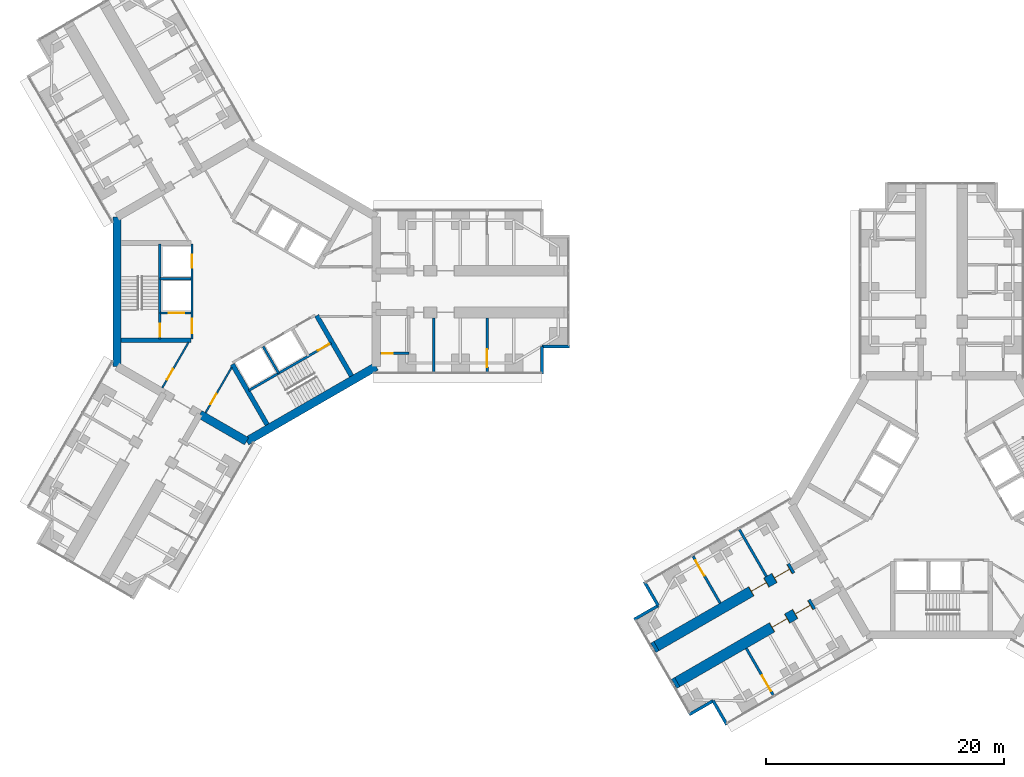
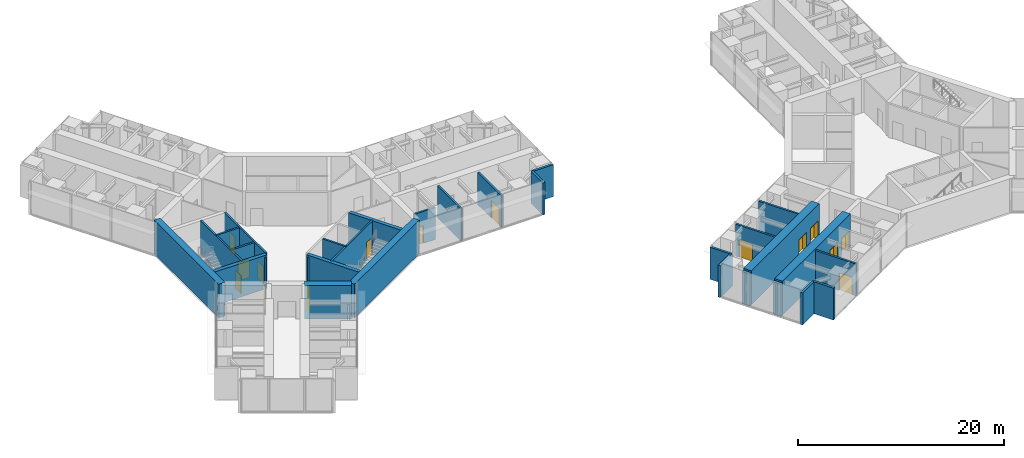
# One storey, part 16 of 22: 30 walls, 15 doors, 15 openings.
"""IFC4 building model written with IfcOpenShell, lengths in metres."""

from ifc_helpers import new_model, si_unit, direction, frame, frame_2d, origin, place, context, subcontext, project, spatial, rectangle, extrude, material, layer, layer_set, type_object, element, fill, save


model = new_model("IFC4")

# Units and contexts
model_context = context("Model", 3, precision=1e-05, world=origin(), true_north=direction((0.0, 1.0)))
body_context = subcontext(model_context, "Body", "Model", "MODEL_VIEW")
ifc_project = project(units=[si_unit("LENGTHUNIT", "METRE"), si_unit("AREAUNIT", "SQUARE_METRE"), si_unit("VOLUMEUNIT", "CUBIC_METRE"), si_unit("PLANEANGLEUNIT", "RADIAN"), si_unit("MASSUNIT", "GRAM", prefix="KILO")], contexts=[model_context])

# Site, building, storey
site_placement = place(None, origin())
site = spatial("IfcSite", under=ifc_project, at=site_placement, CompositionType="ELEMENT")
building_placement = place(site_placement, origin())
building = spatial("IfcBuilding", under=site, at=building_placement, Name="Upepo Twin Towers", CompositionType="ELEMENT")
storey_placement = place(building_placement, frame((0.0, 0.0, 36.5)))
storey = spatial("IfcBuildingStorey", under=building, at=storey_placement, Name="L08", CompositionType="ELEMENT", Elevation=36.5)

# Wall
ifc_material_1 = material(Name="Concrete blockwork, plastered both faces", Category="masonry")
ifc_layer_1 = layer(ifc_material_1, 0.215087890625)
ifc_layer_set_1 = layer_set([ifc_layer_1], Name="Blockwork partition 215")
wall_type_1 = type_object("IfcWallType", Name="Blockwork partition 215", PredefinedType="PARTITIONING", material=ifc_layer_set_1)
wall_1_placement = place(storey_placement, frame((15.75, -2.199951171875, 0.0), z_axis=(0.0, 0.0, 1.0), x_axis=(0.0, -1.0, 0.0)))
element("IfcWall", 1, at=wall_1_placement, inside=storey, type_object=wall_type_1, Name="T1 partition AR at 15.75", PredefinedType="PARTITIONING", context=body_context, shape_type="SweptSolid", body=[
    extrude(rectangle(XDim=4.550048828125, YDim=0.215087890625, at=frame_2d((2.27490234375, 0.0))), origin(), (0.0, 0.0, 1.0), 3.800048828125),
])

# Wall, opening, door
wall_2_placement = place(storey_placement, frame((20.25, -2.199951171875, 0.0), z_axis=(0.0, 0.0, 1.0), x_axis=(0.0, -1.0, 0.0)))
wall_2 = element("IfcWall", 2, at=wall_2_placement, inside=storey, type_object=wall_type_1, Name="T1 partition AR at 20.25", PredefinedType="PARTITIONING", context=body_context, shape_type="SweptSolid", body=[
    extrude(rectangle(XDim=4.550048828125, YDim=0.215087890625, at=frame_2d((2.27490234375, 0.0))), origin(), (0.0, 0.0, 1.0), 3.800048828125),
])
opening_1_placement = place(wall_2_placement, frame((2.64990234375, 0.0, 0.0)))
opening_1 = element("IfcOpeningElement", 3, at=opening_1_placement, cuts=wall_2, Name="Opening D13", PredefinedType="OPENING", context=body_context, shape_type="SweptSolid", body=[
    extrude(rectangle(XDim=1.5, YDim=2.10009765625, at=frame_2d((0.75, 1.050048828125))), frame((0.0, 0.117431640625, 0.0), z_axis=(0.0, -1.0, 0.0), x_axis=(1.0, 0.0, 0.0)), (0.0, 0.0, 1.0), 0.235107421875),
])
ifc_material_2 = material(Name="Timber doorset", Category="wood")
door_type_1 = type_object("IfcDoorType", Name="Double door 1500 FD30", OperationType="DOUBLE_DOOR_SINGLE_SWING", PredefinedType="DOOR", material=ifc_material_2)
door_1_placement = place(opening_1_placement, origin())
door_1 = element("IfcDoor", 4, at=door_1_placement, inside=storey, type_object=door_type_1, Name="T1 L08 connecting door", OperationType="DOUBLE_DOOR_SINGLE_SWING", OverallHeight=2.10009765625, OverallWidth=1.5, PredefinedType="DOOR", context=body_context, shape_type="SweptSolid", body=[
    extrude(rectangle(XDim=1.5, YDim=2.10009765625, at=frame_2d((0.75, 1.050048828125))), frame((0.0, 0.02490234375, 0.0), z_axis=(0.0, -1.0, 0.0), x_axis=(1.0, 0.0, 0.0)), (0.0, 0.0, 1.0), 0.050048828125),
])
fill(opening_1, door_1)

wall_3_placement = place(storey_placement, frame((11.258056640625, -5.199951171875, 0.0), z_axis=(0.0, 0.0, 1.0), x_axis=(1.0, 0.0, 0.0)))
wall_3 = element("IfcWall", 5, at=wall_3_placement, inside=storey, type_object=wall_type_1, Name="T1 WC bay partition AR at 11.26", PredefinedType="PARTITIONING", context=body_context, shape_type="SweptSolid", body=[
    extrude(rectangle(XDim=2.39990234375, YDim=0.215087890625, at=frame_2d((1.199951171875, 0.0))), origin(), (0.0, 0.0, 1.0), 3.800048828125),
])
opening_2_placement = place(wall_3_placement, frame((0.14990234375, 0.0, 0.0)))
opening_2 = element("IfcOpeningElement", 6, at=opening_2_placement, cuts=wall_3, Name="Opening D14", PredefinedType="OPENING", context=body_context, shape_type="SweptSolid", body=[
    extrude(rectangle(XDim=0.89990234375, YDim=2.10009765625, at=frame_2d((0.449951171875, 1.050048828125))), frame((0.0, 0.117431640625, 0.0), z_axis=(0.0, -1.0, 0.0), x_axis=(1.0, 0.0, 0.0)), (0.0, 0.0, 1.0), 0.235107421875),
])
ifc_material_3 = material(Name="Timber doorset", Category="wood")
door_type_2 = type_object("IfcDoorType", Name="Office door 900 FD30", OperationType="SINGLE_SWING_LEFT", PredefinedType="DOOR", material=ifc_material_3)
door_2_placement = place(opening_2_placement, origin())
door_2 = element("IfcDoor", 7, at=door_2_placement, inside=storey, type_object=door_type_2, Name="T1 L08 WC bay inner room door", OperationType="SINGLE_SWING_LEFT", OverallHeight=2.10009765625, OverallWidth=0.89990234375, PredefinedType="DOOR", context=body_context, shape_type="SweptSolid", body=[
    extrude(rectangle(XDim=0.89990234375, YDim=2.10009765625, at=frame_2d((0.449951171875, 1.050048828125))), frame((0.0, 0.02490234375, 0.0), z_axis=(0.0, -1.0, 0.0), x_axis=(1.0, 0.0, 0.0)), (0.0, 0.0, 1.0), 0.050048828125),
])
fill(opening_2, door_2)

wall_4_placement = place(storey_placement, frame((42.06298828125, -30.0302734375, 0.0), z_axis=(0.0, 0.0, 1.0), x_axis=(0.499982560684, -0.866035472144, 0.0)))
wall_4 = element("IfcWall", 8, at=wall_4_placement, inside=storey, type_object=wall_type_1, Name="T2 partition BL at 20.25", PredefinedType="PARTITIONING", context=body_context, shape_type="SweptSolid", body=[
    extrude(rectangle(XDim=4.550048828125, YDim=0.215087890625, at=frame_2d((2.27490234375, 0.0))), origin(), (0.0, 0.0, 1.0), 3.800048828125),
])
opening_3_placement = place(wall_4_placement, frame((2.64990234375, 0.0, 0.0)))
opening_3 = element("IfcOpeningElement", 9, at=opening_3_placement, cuts=wall_4, Name="Opening D13", PredefinedType="OPENING", context=body_context, shape_type="SweptSolid", body=[
    extrude(rectangle(XDim=1.5, YDim=2.10009765625, at=frame_2d((0.75, 1.050048828125))), frame((0.0, 0.117431640625, 0.0), z_axis=(0.0, -1.0, 0.0), x_axis=(1.0, 0.0, 0.0)), (0.0, 0.0, 1.0), 0.235107421875),
])
door_3_placement = place(opening_3_placement, origin())
door_3 = element("IfcDoor", 10, at=door_3_placement, inside=storey, type_object=door_type_1, Name="T2 L08 connecting door", OperationType="DOUBLE_DOOR_SINGLE_SWING", OverallHeight=2.10009765625, OverallWidth=1.5, PredefinedType="DOOR", context=body_context, shape_type="SweptSolid", body=[
    extrude(rectangle(XDim=1.5, YDim=2.10009765625, at=frame_2d((0.75, 1.050048828125))), frame((0.0, 0.02490234375, 0.0), z_axis=(0.0, -1.0, 0.0), x_axis=(1.0, 0.0, 0.0)), (0.0, 0.0, 1.0), 0.050048828125),
])
fill(opening_3, door_3)

# Wall
wall_5_placement = place(storey_placement, frame((43.760009765625, -23.9697265625, 0.0), z_axis=(0.0, 0.0, 1.0), x_axis=(-0.499982560684, 0.866035472144, 0.0)))
element("IfcWall", 11, at=wall_5_placement, inside=storey, type_object=wall_type_1, Name="T2 partition BR at 15.75", PredefinedType="PARTITIONING", context=body_context, shape_type="SweptSolid", body=[
    extrude(rectangle(XDim=4.550048828125, YDim=0.215087890625, at=frame_2d((2.27490234375, 0.0))), origin(), (0.0, 0.0, 1.0), 3.800048828125),
])

# Wall, opening, door
wall_6_placement = place(storey_placement, frame((39.863037109375, -26.2197265625, 0.0), z_axis=(0.0, 0.0, 1.0), x_axis=(-0.500022803284, 0.866012237902, 0.0)))
wall_6 = element("IfcWall", 12, at=wall_6_placement, inside=storey, type_object=wall_type_1, Name="T2 partition BR at 20.25", PredefinedType="PARTITIONING", context=body_context, shape_type="SweptSolid", body=[
    extrude(rectangle(XDim=4.550048828125, YDim=0.215087890625, at=frame_2d((2.27490234375, 0.0))), origin(), (0.0, 0.0, 1.0), 3.800048828125),
])
opening_4_placement = place(wall_6_placement, frame((2.64990234375, 0.0, 0.0)))
opening_4 = element("IfcOpeningElement", 13, at=opening_4_placement, cuts=wall_6, Name="Opening D13", PredefinedType="OPENING", context=body_context, shape_type="SweptSolid", body=[
    extrude(rectangle(XDim=1.5, YDim=2.10009765625, at=frame_2d((0.75, 1.050048828125))), frame((0.0, 0.117431640625, 0.0), z_axis=(0.0, -1.0, 0.0), x_axis=(1.0, 0.0, 0.0)), (0.0, 0.0, 1.0), 0.235107421875),
])
door_4_placement = place(opening_4_placement, origin())
door_4 = element("IfcDoor", 14, at=door_4_placement, inside=storey, type_object=door_type_1, Name="T2 L08 connecting door", OperationType="DOUBLE_DOOR_SINGLE_SWING", OverallHeight=2.10009765625, OverallWidth=1.5, PredefinedType="DOOR", context=body_context, shape_type="SweptSolid", body=[
    extrude(rectangle(XDim=1.5, YDim=2.10009765625, at=frame_2d((0.75, 1.050048828125))), frame((0.0, 0.02490234375, 0.0), z_axis=(0.0, -1.0, 0.0), x_axis=(1.0, 0.0, 0.0)), (0.0, 0.0, 1.0), 0.050048828125),
])
fill(opening_4, door_4)

# Walls
ifc_material_4 = material(Name="Dense concrete blockwork", Category="masonry")
ifc_layer_2 = layer(ifc_material_4, 0.89990234375)
ifc_layer_set_2 = layer_set([ifc_layer_2], Name="Buttress closer 900, blockwork with fire-stopping to the curtain wall")
wall_type_2 = type_object("IfcWallType", Name="Buttress closer 900, blockwork with fire-stopping to the curtain wall", PredefinedType="PARTITIONING", material=ifc_layer_set_2)
for number, where, z_axis, x_axis, name in (
    (15, (36.252197265625, -32.865478515625, 0.0), (0.0, 0.0, 1.0), (-0.866054481515, -0.499949632511, 0.0), "T2 L08 wing B buttress closer L"),
    (16, (34.502197265625, -29.83447265625, 0.0), (0.0, 0.0, 1.0), (-0.866054481515, -0.499949632511, 0.0), "T2 L08 wing B buttress closer R"),
):
    element("IfcWall", number, at=place(storey_placement, frame(where, z_axis=z_axis, x_axis=x_axis)), inside=storey, type_object=wall_type_2, Name=name, PredefinedType="PARTITIONING", context=body_context, shape_type="SweptSolid", body=[
        extrude(rectangle(XDim=0.31005859375, YDim=0.89990234375, at=frame_2d((0.155029296875, 0.0))), origin(), (0.0, 0.0, 1.0), 3.800048828125),
    ])

# Wall, openings, doors
ifc_material_5 = material(Name="Concrete C60/75", Category="concrete")
ifc_layer_3 = layer(ifc_material_5, 0.89990234375)
ifc_layer_set_3 = layer_set([ifc_layer_3], Name="Concrete C60/75")
wall_type_3 = type_object("IfcWallType", Name="Buttress wall 900 RC", PredefinedType="SHEAR", material=ifc_layer_set_3)
wall_7_placement = place(storey_placement, frame((47.68359375, -26.265625, 0.0), z_axis=(0.0, 0.0, 1.0), x_axis=(-0.866027579429, -0.499996231654, 0.0)))
wall_7 = element("IfcWall", 17, at=wall_7_placement, inside=storey, type_object=wall_type_3, Name="T2 wing B buttress wall L part 2", PredefinedType="SHEAR", context=body_context, shape_type="SweptSolid", body=[
    extrude(rectangle(XDim=13.19970703125, YDim=0.89990234375, at=frame_2d((6.599853515625, 0.0))), origin(), (0.0, 0.0, 1.0), 4.0),
])
opening_5_placement = place(wall_7_placement, frame((0.25, 0.0, 0.0)))
opening_5 = element("IfcOpeningElement", 18, at=opening_5_placement, cuts=wall_7, Name="Opening D13", PredefinedType="OPENING", context=body_context, shape_type="SweptSolid", body=[
    extrude(rectangle(XDim=1.5, YDim=2.10009765625, at=frame_2d((0.75, 1.050048828125))), frame((0.0, 0.4599609375, 0.0), z_axis=(0.0, -1.0, 0.0), x_axis=(1.0, 0.0, 0.0)), (0.0, 0.0, 1.0), 0.919921875),
])
opening_6_placement = place(wall_7_placement, frame((2.5, 0.0, 0.0)))
opening_6 = element("IfcOpeningElement", 19, at=opening_6_placement, cuts=wall_7, Name="Opening D13", PredefinedType="OPENING", context=body_context, shape_type="SweptSolid", body=[
    extrude(rectangle(XDim=1.5, YDim=2.10009765625, at=frame_2d((0.75, 1.050048828125))), frame((0.0, 0.4599609375, 0.0), z_axis=(0.0, -1.0, 0.0), x_axis=(1.0, 0.0, 0.0)), (0.0, 0.0, 1.0), 0.919921875),
])
door_5_placement = place(opening_5_placement, origin())
door_5 = element("IfcDoor", 20, at=door_5_placement, inside=storey, type_object=door_type_1, Name="T2 L08 lecture room door", OperationType="DOUBLE_DOOR_SINGLE_SWING", OverallHeight=2.10009765625, OverallWidth=1.5, PredefinedType="DOOR", context=body_context, shape_type="SweptSolid", body=[
    extrude(rectangle(XDim=1.42, YDim=2.06009765625, at=frame_2d((0.75, 1.030029296875))), frame((0.0, 0.02490234375, 0.0), z_axis=(0.0, -1.0, 0.0), x_axis=(1.0, 0.0, 0.0)), (0.0, 0.0, 1.0), 0.050048828125),
    extrude(rectangle(XDim=0.04, YDim=2.10009765625, at=frame_2d((0.02001953125, 1.050048828125))), frame((0.0, 0.44970703125, 0.0), z_axis=(0.0, -1.0, 0.0), x_axis=(1.0, 0.0, 0.0)), (0.0, 0.0, 1.0), 0.8994140625),
    extrude(rectangle(XDim=0.04, YDim=2.10009765625, at=frame_2d((1.47998046875, 1.050048828125))), frame((0.0, 0.44970703125, 0.0), z_axis=(0.0, -1.0, 0.0), x_axis=(1.0, 0.0, 0.0)), (0.0, 0.0, 1.0), 0.8994140625),
    extrude(rectangle(XDim=1.42, YDim=0.04, at=frame_2d((0.75, 2.080078125))), frame((0.0, 0.44970703125, 0.0), z_axis=(0.0, -1.0, 0.0), x_axis=(1.0, 0.0, 0.0)), (0.0, 0.0, 1.0), 0.8994140625),
])
fill(opening_5, door_5)
door_6_placement = place(opening_6_placement, origin())
door_6 = element("IfcDoor", 21, at=door_6_placement, inside=storey, type_object=door_type_1, Name="T2 L08 tutorial room door", OperationType="DOUBLE_DOOR_SINGLE_SWING", OverallHeight=2.10009765625, OverallWidth=1.5, PredefinedType="DOOR", context=body_context, shape_type="SweptSolid", body=[
    extrude(rectangle(XDim=1.42, YDim=2.06009765625, at=frame_2d((0.75, 1.030029296875))), frame((0.0, 0.02490234375, 0.0), z_axis=(0.0, -1.0, 0.0), x_axis=(1.0, 0.0, 0.0)), (0.0, 0.0, 1.0), 0.050048828125),
    extrude(rectangle(XDim=0.04, YDim=2.10009765625, at=frame_2d((0.02001953125, 1.050048828125))), frame((0.0, 0.44970703125, 0.0), z_axis=(0.0, -1.0, 0.0), x_axis=(1.0, 0.0, 0.0)), (0.0, 0.0, 1.0), 0.8994140625),
    extrude(rectangle(XDim=0.04, YDim=2.10009765625, at=frame_2d((1.47998046875, 1.050048828125))), frame((0.0, 0.44970703125, 0.0), z_axis=(0.0, -1.0, 0.0), x_axis=(1.0, 0.0, 0.0)), (0.0, 0.0, 1.0), 0.8994140625),
    extrude(rectangle(XDim=1.42, YDim=0.04, at=frame_2d((0.75, 2.080078125))), frame((0.0, 0.44970703125, 0.0), z_axis=(0.0, -1.0, 0.0), x_axis=(1.0, 0.0, 0.0)), (0.0, 0.0, 1.0), 0.8994140625),
])
fill(opening_6, door_6)

wall_8_placement = place(storey_placement, frame((45.93359375, -23.234375, 0.0), z_axis=(0.0, 0.0, 1.0), x_axis=(-0.866019570528, -0.500010103361, 0.0)))
wall_8 = element("IfcWall", 22, at=wall_8_placement, inside=storey, type_object=wall_type_3, Name="T2 wing B buttress wall R part 2", PredefinedType="SHEAR", context=body_context, shape_type="SweptSolid", body=[
    extrude(rectangle(XDim=13.199951171875, YDim=0.89990234375, at=frame_2d((6.60009765625, 0.0))), origin(), (0.0, 0.0, 1.0), 4.0),
])
opening_7_placement = place(wall_8_placement, frame((0.25, 0.0, 0.0)))
opening_7 = element("IfcOpeningElement", 23, at=opening_7_placement, cuts=wall_8, Name="Opening D13", PredefinedType="OPENING", context=body_context, shape_type="SweptSolid", body=[
    extrude(rectangle(XDim=1.5, YDim=2.10009765625, at=frame_2d((0.75, 1.050048828125))), frame((0.0, 0.4599609375, 0.0), z_axis=(0.0, -1.0, 0.0), x_axis=(1.0, 0.0, 0.0)), (0.0, 0.0, 1.0), 0.919921875),
])
opening_8_placement = place(wall_8_placement, frame((2.5, 0.0, 0.0)))
opening_8 = element("IfcOpeningElement", 24, at=opening_8_placement, cuts=wall_8, Name="Opening D13", PredefinedType="OPENING", context=body_context, shape_type="SweptSolid", body=[
    extrude(rectangle(XDim=1.5, YDim=2.10009765625, at=frame_2d((0.75, 1.050048828125))), frame((0.0, 0.4599609375, 0.0), z_axis=(0.0, -1.0, 0.0), x_axis=(1.0, 0.0, 0.0)), (0.0, 0.0, 1.0), 0.919921875),
])
door_7_placement = place(opening_7_placement, origin())
door_7 = element("IfcDoor", 25, at=door_7_placement, inside=storey, type_object=door_type_1, Name="T2 L08 seminar room door", OperationType="DOUBLE_DOOR_SINGLE_SWING", OverallHeight=2.10009765625, OverallWidth=1.5, PredefinedType="DOOR", context=body_context, shape_type="SweptSolid", body=[
    extrude(rectangle(XDim=1.42, YDim=2.06009765625, at=frame_2d((0.75, 1.030029296875))), frame((0.0, 0.02490234375, 0.0), z_axis=(0.0, -1.0, 0.0), x_axis=(1.0, 0.0, 0.0)), (0.0, 0.0, 1.0), 0.050048828125),
    extrude(rectangle(XDim=0.04, YDim=2.10009765625, at=frame_2d((0.02001953125, 1.050048828125))), frame((0.0, 0.44970703125, 0.0), z_axis=(0.0, -1.0, 0.0), x_axis=(1.0, 0.0, 0.0)), (0.0, 0.0, 1.0), 0.8994140625),
    extrude(rectangle(XDim=0.04, YDim=2.10009765625, at=frame_2d((1.47998046875, 1.050048828125))), frame((0.0, 0.44970703125, 0.0), z_axis=(0.0, -1.0, 0.0), x_axis=(1.0, 0.0, 0.0)), (0.0, 0.0, 1.0), 0.8994140625),
    extrude(rectangle(XDim=1.42, YDim=0.04, at=frame_2d((0.75, 2.080078125))), frame((0.0, 0.44970703125, 0.0), z_axis=(0.0, -1.0, 0.0), x_axis=(1.0, 0.0, 0.0)), (0.0, 0.0, 1.0), 0.8994140625),
])
fill(opening_7, door_7)
door_8_placement = place(opening_8_placement, origin())
door_8 = element("IfcDoor", 26, at=door_8_placement, inside=storey, type_object=door_type_1, Name="T2 L08 lecture room door", OperationType="DOUBLE_DOOR_SINGLE_SWING", OverallHeight=2.10009765625, OverallWidth=1.5, PredefinedType="DOOR", context=body_context, shape_type="SweptSolid", body=[
    extrude(rectangle(XDim=1.42, YDim=2.06009765625, at=frame_2d((0.75, 1.030029296875))), frame((0.0, 0.02490234375, 0.0), z_axis=(0.0, -1.0, 0.0), x_axis=(1.0, 0.0, 0.0)), (0.0, 0.0, 1.0), 0.050048828125),
    extrude(rectangle(XDim=0.04, YDim=2.10009765625, at=frame_2d((0.02001953125, 1.050048828125))), frame((0.0, 0.44970703125, 0.0), z_axis=(0.0, -1.0, 0.0), x_axis=(1.0, 0.0, 0.0)), (0.0, 0.0, 1.0), 0.8994140625),
    extrude(rectangle(XDim=0.04, YDim=2.10009765625, at=frame_2d((1.47998046875, 1.050048828125))), frame((0.0, 0.44970703125, 0.0), z_axis=(0.0, -1.0, 0.0), x_axis=(1.0, 0.0, 0.0)), (0.0, 0.0, 1.0), 0.8994140625),
    extrude(rectangle(XDim=1.42, YDim=0.04, at=frame_2d((0.75, 2.080078125))), frame((0.0, 0.44970703125, 0.0), z_axis=(0.0, -1.0, 0.0), x_axis=(1.0, 0.0, 0.0)), (0.0, 0.0, 1.0), 0.8994140625),
])
fill(opening_8, door_8)

# Walls
ifc_material_6 = material(Name="Concrete C60/75", Category="concrete")
ifc_layer_4 = layer(ifc_material_6, 0.699951171875)
ifc_layer_set_4 = layer_set([ifc_layer_4], Name="Concrete C60/75")
wall_type_4 = type_object("IfcWallType", Name="Core wall 700 RC", PredefinedType="SHEAR", material=ifc_layer_set_4)
wall_9_placement = place(storey_placement, frame((-10.908447265625, 6.2978515625, 0.0), z_axis=(0.0, 0.0, 1.0), x_axis=(0.0, -1.0, 0.0)))
element("IfcWall", 27, at=wall_9_placement, inside=storey, type_object=wall_type_4, Name="T1 core wall 180", PredefinedType="SHEAR", context=body_context, shape_type="SweptSolid", body=[
    extrude(rectangle(XDim=12.595703125, YDim=0.699951171875, at=frame_2d((6.2978515625, 0.0))), origin(), (0.0, 0.0, 1.0), 4.0),
])
wall_10_placement = place(storey_placement, frame((-3.938720703125, -10.32177734375, 0.0), z_axis=(0.0, 0.0, 1.0), x_axis=(0.866011268655, -0.500024481964, 0.0)))
element("IfcWall", 28, at=wall_10_placement, inside=storey, type_object=wall_type_4, Name="T1 core wall 240 L", PredefinedType="SHEAR", context=body_context, shape_type="SweptSolid", body=[
    extrude(rectangle(XDim=4.548095703125, YDim=0.699951171875, at=frame_2d((2.27392578125, 0.0))), origin(), (0.0, 0.0, 1.0), 4.0),
])
wall_11_placement = place(storey_placement, frame((0.0, -12.595947265625, 0.0), z_axis=(0.0, 0.0, 1.0), x_axis=(0.866021940709, 0.500005998175, 0.0)))
element("IfcWall", 29, at=wall_11_placement, inside=storey, type_object=wall_type_4, Name="T1 core wall 300", PredefinedType="SHEAR", context=body_context, shape_type="SweptSolid", body=[
    extrude(rectangle(XDim=12.595947265625, YDim=0.699951171875, at=frame_2d((6.2978515625, 0.0))), origin(), (0.0, 0.0, 1.0), 4.0),
])
ifc_material_7 = material(Name="Blockwork with anodised aluminium cladding", Category="masonry")
ifc_layer_5 = layer(ifc_material_7, 0.25)
ifc_layer_set_5 = layer_set([ifc_layer_5], Name="Notch cladding wall 250, pale metal")
wall_type_5 = type_object("IfcWallType", Name="Notch cladding wall 250, pale metal", PredefinedType="STANDARD", material=ifc_layer_set_5)
for number, where, z_axis, x_axis, name in (
    (30, (24.875, -6.949951171875, 0.0), (0.0, 0.0, 1.0), (0.0, 1.0, 0.0), "T1 L08 wing A notch wall R1"),
    (31, (24.875, -4.625, 0.0), (0.0, 0.0, 1.0), (1.0, 0.0, 0.0), "T1 L08 wing A notch wall R2"),
    (32, (40.4326171875, -36.456298828125, 0.0), (0.0, 0.0, 1.0), (-0.500046648681, 0.865998469481, 0.0), "T2 L08 wing B notch wall L1"),
    (33, (39.27001953125, -34.44287109375, 0.0), (0.0, 0.0, 1.0), (-0.865998469481, -0.500046648681, 0.0), "T2 L08 wing B notch wall L2"),
    (34, (33.482666015625, -24.418701171875, 0.0), (0.0, 0.0, 1.0), (0.499967891604, -0.866043940782, 0.0), "T2 L08 wing B notch wall R1"),
    (35, (34.64501953125, -26.43212890625, 0.0), (0.0, 0.0, 1.0), (-0.865998469481, -0.500046648681, 0.0), "T2 L08 wing B notch wall R2"),
):
    element("IfcWall", number, at=place(storey_placement, frame(where, z_axis=z_axis, x_axis=x_axis)), inside=storey, type_object=wall_type_5, Name=name, PredefinedType="STANDARD", context=body_context, shape_type="SweptSolid", body=[
        extrude(rectangle(XDim=2.324951171875, YDim=0.25, at=frame_2d((1.16259765625, 0.0))), origin(), (0.0, 0.0, 1.0), 3.800048828125),
    ])

# Wall, openings, doors
ifc_material_8 = material(Name="Concrete C40/50", Category="concrete")
ifc_layer_6 = layer(ifc_material_8, 0.199951171875)
ifc_layer_set_6 = layer_set([ifc_layer_6], Name="Concrete C40/50")
wall_type_6 = type_object("IfcWallType", Name="Shaft wall 200 RC", PredefinedType="SHEAR", material=ifc_layer_set_6)
wall_12_placement = place(storey_placement, frame((-4.60009765625, 4.0, 0.0), z_axis=(0.0, 0.0, 1.0), x_axis=(0.0, -1.0, 0.0)))
wall_12 = element("IfcWall", 36, at=wall_12_placement, inside=storey, type_object=wall_type_6, Name="T1 core W180 front wall", PredefinedType="SHEAR", context=body_context, shape_type="SweptSolid", body=[
    extrude(rectangle(XDim=8.0, YDim=0.199951171875, at=frame_2d((4.0, 0.0))), origin(), (0.0, 0.0, 1.0), 4.0),
])
opening_9_placement = place(wall_12_placement, frame((6.300048828125, 0.0, 0.0)))
opening_9 = element("IfcOpeningElement", 37, at=opening_9_placement, cuts=wall_12, Name="Opening D4", PredefinedType="OPENING", context=body_context, shape_type="SweptSolid", body=[
    extrude(rectangle(XDim=1.199951171875, YDim=2.10009765625, at=frame_2d((0.60009765625, 1.050048828125))), frame((0.0, 0.10986328125, 0.0), z_axis=(0.0, -1.0, 0.0), x_axis=(1.0, 0.0, 0.0)), (0.0, 0.0, 1.0), 0.219970703125),
])
opening_10_placement = place(wall_12_placement, frame((0.89990234375, 0.0, 0.0)))
opening_10 = element("IfcOpeningElement", 38, at=opening_10_placement, cuts=wall_12, Name="Opening LD1", PredefinedType="OPENING", context=body_context, shape_type="SweptSolid", body=[
    extrude(rectangle(XDim=1.10009765625, YDim=2.199951171875, at=frame_2d((0.550048828125, 1.10009765625))), frame((0.0, 0.10986328125, 0.0), z_axis=(0.0, -1.0, 0.0), x_axis=(1.0, 0.0, 0.0)), (0.0, 0.0, 1.0), 0.219970703125),
])
ifc_material_9 = material(Name="Steel doorset", Category="steel")
door_type_3 = type_object("IfcDoorType", Name="Lift landing door 1100", OperationType="DOUBLE_DOOR_SLIDING", PredefinedType="DOOR", material=ifc_material_9)
door_9_placement = place(opening_10_placement, origin())
door_9 = element("IfcDoor", 39, at=door_9_placement, inside=storey, type_object=door_type_3, Name="T1 L08 lift SV1 landing door", OperationType="DOUBLE_DOOR_SLIDING", OverallHeight=2.199951171875, OverallWidth=1.10009765625, PredefinedType="DOOR", context=body_context, shape_type="SweptSolid", body=[
    extrude(rectangle(XDim=1.10009765625, YDim=2.199951171875, at=frame_2d((0.550048828125, 1.10009765625))), frame((0.0, 0.02490234375, 0.0), z_axis=(0.0, -1.0, 0.0), x_axis=(1.0, 0.0, 0.0)), (0.0, 0.0, 1.0), 0.050048828125),
])
fill(opening_10, door_9)
ifc_material_10 = material(Name="Timber doorset", Category="wood")
door_type_4 = type_object("IfcDoorType", Name="Lobby door 1200 FD60", OperationType="SINGLE_SWING_LEFT", PredefinedType="DOOR", material=ifc_material_10)
door_10_placement = place(opening_9_placement, origin())
door_10 = element("IfcDoor", 40, at=door_10_placement, inside=storey, type_object=door_type_4, Name="T1 L08 W180 lobby door", OperationType="SINGLE_SWING_RIGHT", OverallHeight=2.10009765625, OverallWidth=1.199951171875, PredefinedType="DOOR", context=body_context, shape_type="SweptSolid", body=[
    extrude(rectangle(XDim=1.199951171875, YDim=2.10009765625, at=frame_2d((0.60009765625, 1.050048828125))), frame((0.0, 0.02490234375, 0.0), z_axis=(0.0, -1.0, 0.0), x_axis=(1.0, 0.0, 0.0)), (0.0, 0.0, 1.0), 0.050048828125),
])
fill(opening_9, door_10)

# Wall
wall_13_placement = place(storey_placement, frame((-4.699951171875, 1.10009765625, 0.0), z_axis=(0.0, 0.0, 1.0), x_axis=(-1.0, 0.0, 0.0)))
element("IfcWall", 41, at=wall_13_placement, inside=storey, type_object=wall_type_6, Name="T1 core W180 shaft divider", PredefinedType="SHEAR", context=body_context, shape_type="SweptSolid", body=[
    extrude(rectangle(XDim=2.60009765625, YDim=0.199951171875, at=frame_2d((1.300048828125, 0.0))), origin(), (0.0, 0.0, 1.0), 4.0),
])

# Wall, opening, door
wall_14_placement = place(storey_placement, frame((-4.699951171875, -1.800048828125, 0.0), z_axis=(0.0, 0.0, 1.0), x_axis=(-1.0, 0.0, 0.0)))
wall_14 = element("IfcWall", 42, at=wall_14_placement, inside=storey, type_object=wall_type_6, Name="T1 core W180 lobby wall", PredefinedType="SHEAR", context=body_context, shape_type="SweptSolid", body=[
    extrude(rectangle(XDim=2.60009765625, YDim=0.199951171875, at=frame_2d((1.300048828125, 0.0))), origin(), (0.0, 0.0, 1.0), 4.0),
])
opening_11_placement = place(wall_14_placement, frame((0.550048828125, 0.0, 0.0)))
opening_11 = element("IfcOpeningElement", 43, at=opening_11_placement, cuts=wall_14, Name="Opening LD2", PredefinedType="OPENING", context=body_context, shape_type="SweptSolid", body=[
    extrude(rectangle(XDim=1.300048828125, YDim=2.199951171875, at=frame_2d((0.64990234375, 1.10009765625))), frame((0.0, 0.10986328125, 0.0), z_axis=(0.0, -1.0, 0.0), x_axis=(1.0, 0.0, 0.0)), (0.0, 0.0, 1.0), 0.219970703125),
])
ifc_material_11 = material(Name="Steel doorset", Category="steel")
door_type_5 = type_object("IfcDoorType", Name="Firefighting lift landing door 1300", OperationType="DOUBLE_DOOR_SLIDING", PredefinedType="DOOR", material=ifc_material_11)
door_11_placement = place(opening_11_placement, origin())
door_11 = element("IfcDoor", 44, at=door_11_placement, inside=storey, type_object=door_type_5, Name="T1 L08 firefighting lift landing door", OperationType="DOUBLE_DOOR_SLIDING", OverallHeight=2.199951171875, OverallWidth=1.300048828125, PredefinedType="DOOR", context=body_context, shape_type="SweptSolid", body=[
    extrude(rectangle(XDim=1.300048828125, YDim=2.199951171875, at=frame_2d((0.64990234375, 1.10009765625))), frame((0.0, 0.02490234375, 0.0), z_axis=(0.0, -1.0, 0.0), x_axis=(1.0, 0.0, 0.0)), (0.0, 0.0, 1.0), 0.050048828125),
])
fill(opening_11, door_11)

wall_15_placement = place(storey_placement, frame((-7.300048828125, 4.0, 0.0), z_axis=(0.0, 0.0, 1.0), x_axis=(0.0, -1.0, 0.0)))
wall_15 = element("IfcWall", 45, at=wall_15_placement, inside=storey, type_object=wall_type_6, Name="T1 core W180 stair wall", PredefinedType="SHEAR", context=body_context, shape_type="SweptSolid", body=[
    extrude(rectangle(XDim=8.0, YDim=0.199951171875, at=frame_2d((4.0, 0.0))), origin(), (0.0, 0.0, 1.0), 4.0),
])
opening_12_placement = place(wall_15_placement, frame((6.699951171875, 0.0, 0.0)))
opening_12 = element("IfcOpeningElement", 46, at=opening_12_placement, cuts=wall_15, Name="Opening D3", PredefinedType="OPENING", context=body_context, shape_type="SweptSolid", body=[
    extrude(rectangle(XDim=1.10009765625, YDim=2.10009765625, at=frame_2d((0.550048828125, 1.050048828125))), frame((0.0, 0.10986328125, 0.0), z_axis=(0.0, -1.0, 0.0), x_axis=(1.0, 0.0, 0.0)), (0.0, 0.0, 1.0), 0.219970703125),
])
ifc_material_12 = material(Name="Timber doorset", Category="wood")
door_type_6 = type_object("IfcDoorType", Name="Stair door 1100 FD60", OperationType="SINGLE_SWING_LEFT", PredefinedType="DOOR", material=ifc_material_12)
door_12_placement = place(opening_12_placement, origin())
door_12 = element("IfcDoor", 47, at=door_12_placement, inside=storey, type_object=door_type_6, Name="T1 L08 stair door", OperationType="SINGLE_SWING_RIGHT", OverallHeight=2.10009765625, OverallWidth=1.10009765625, PredefinedType="DOOR", context=body_context, shape_type="SweptSolid", body=[
    extrude(rectangle(XDim=1.10009765625, YDim=2.10009765625, at=frame_2d((0.550048828125, 1.050048828125))), frame((0.0, 0.02490234375, 0.0), z_axis=(0.0, -1.0, 0.0), x_axis=(1.0, 0.0, 0.0)), (0.0, 0.0, 1.0), 0.050048828125),
])
fill(opening_12, door_12)

# Wall
wall_16_placement = place(storey_placement, frame((1.3974609375, -4.620361328125, 0.0), z_axis=(0.0, 0.0, 1.0), x_axis=(0.499936506574, -0.866062058628, 0.0)))
element("IfcWall", 48, at=wall_16_placement, inside=storey, type_object=wall_type_6, Name="T1 core W300 shaft divider", PredefinedType="SHEAR", context=body_context, shape_type="SweptSolid", body=[
    extrude(rectangle(XDim=2.599853515625, YDim=0.199951171875, at=frame_2d((1.2998046875, 0.0))), origin(), (0.0, 0.0, 1.0), 4.0),
])

# Wall, opening, door
wall_17_placement = place(storey_placement, frame((0.185791015625, -8.322021484375, 0.0), z_axis=(0.0, 0.0, 1.0), x_axis=(0.866026010844, 0.49999894854, 0.0)))
wall_17 = element("IfcWall", 49, at=wall_17_placement, inside=storey, type_object=wall_type_6, Name="T1 core W300 stair wall", PredefinedType="SHEAR", context=body_context, shape_type="SweptSolid", body=[
    extrude(rectangle(XDim=8.0, YDim=0.199951171875, at=frame_2d((4.0, 0.0))), origin(), (0.0, 0.0, 1.0), 4.0),
])
opening_13_placement = place(wall_17_placement, frame((6.699951171875, 0.0, 0.0)))
opening_13 = element("IfcOpeningElement", 50, at=opening_13_placement, cuts=wall_17, Name="Opening D3", PredefinedType="OPENING", context=body_context, shape_type="SweptSolid", body=[
    extrude(rectangle(XDim=1.10009765625, YDim=2.10009765625, at=frame_2d((0.550048828125, 1.050048828125))), frame((0.0, 0.10986328125, 0.0), z_axis=(0.0, -1.0, 0.0), x_axis=(1.0, 0.0, 0.0)), (0.0, 0.0, 1.0), 0.219970703125),
])
door_13_placement = place(opening_13_placement, origin())
door_13 = element("IfcDoor", 51, at=door_13_placement, inside=storey, type_object=door_type_6, Name="T1 L08 stair door", OperationType="SINGLE_SWING_RIGHT", OverallHeight=2.10009765625, OverallWidth=1.10009765625, PredefinedType="DOOR", context=body_context, shape_type="SweptSolid", body=[
    extrude(rectangle(XDim=1.10009765625, YDim=2.10009765625, at=frame_2d((0.550048828125, 1.050048828125))), frame((0.0, 0.02490234375, 0.0), z_axis=(0.0, -1.0, 0.0), x_axis=(1.0, 0.0, 0.0)), (0.0, 0.0, 1.0), 0.050048828125),
])
fill(opening_13, door_13)

# Walls
ifc_material_13 = material(Name="Concrete C40/50", Category="concrete")
ifc_layer_7 = layer(ifc_material_13, 0.39990234375)
ifc_layer_set_7 = layer_set([ifc_layer_7], Name="Concrete C40/50")
wall_type_7 = type_object("IfcWallType", Name="Shaft wall 400 RC", PredefinedType="SHEAR", material=ifc_layer_set_7)
for number, where, z_axis, x_axis, name in (
    (52, (-4.699951171875, -4.10009765625, 0.0), (0.0, 0.0, 1.0), (-1.0, 0.0, 0.0), "T1 core W180 side wall N"),
    (53, (5.900634765625, -2.020263671875, 0.0), (0.0, 0.0, 1.0), (0.500002627198, -0.866023886965, 0.0), "T1 core W300 side wall N"),
    (54, (-1.20068359375, -6.120361328125, 0.0), (0.0, 0.0, 1.0), (0.500002627198, -0.866023886965, 0.0), "T1 core W300 side wall S"),
):
    element("IfcWall", number, at=place(storey_placement, frame(where, z_axis=z_axis, x_axis=x_axis)), inside=storey, type_object=wall_type_7, Name=name, PredefinedType="SHEAR", context=body_context, shape_type="SweptSolid", body=[
        extrude(rectangle(XDim=5.8583984375, YDim=0.39990234375, at=frame_2d((2.92919921875, 0.0))), origin(), (0.0, 0.0, 1.0), 4.0),
    ])

# Wall, opening, door
ifc_material_14 = material(Name="Gypsum board on steel studs", Category="steel")
ifc_layer_8 = layer(ifc_material_14, 0.14990234375)
ifc_layer_set_8 = layer_set([ifc_layer_8], Name="Teaching partition 150 acoustic")
wall_type_8 = type_object("IfcWallType", Name="Teaching partition 150 acoustic", PredefinedType="PARTITIONING", material=ifc_layer_set_8)
wall_18_placement = place(storey_placement, frame((-1.252685546875, -6.36962890625, 0.0), z_axis=(0.0, 0.0, 1.0), x_axis=(-0.500007369519, -0.866021148949, 0.0)))
wall_18 = element("IfcWall", 55, at=wall_18_placement, inside=storey, type_object=wall_type_8, Name="T1 core room partition 1", PredefinedType="PARTITIONING", context=body_context, shape_type="SweptSolid", body=[
    extrude(rectangle(XDim=4.42578125, YDim=0.14990234375, at=frame_2d((2.212890625, 0.0))), origin(), (0.0, 0.0, 1.0), 3.800048828125),
])
opening_14_placement = place(wall_18_placement, frame((2.597900390625, 0.0, 0.0)))
opening_14 = element("IfcOpeningElement", 56, at=opening_14_placement, cuts=wall_18, Name="Opening D1", PredefinedType="OPENING", context=body_context, shape_type="SweptSolid", body=[
    extrude(rectangle(XDim=1.0, YDim=2.10009765625, at=frame_2d((0.5, 1.050048828125))), frame((0.0, 0.0849609375, 0.0), z_axis=(0.0, -1.0, 0.0), x_axis=(1.0, 0.0, 0.0)), (0.0, 0.0, 1.0), 0.169921875),
])
ifc_material_15 = material(Name="Timber doorset", Category="wood")
door_type_7 = type_object("IfcDoorType", Name="Room door 1000 FD30", OperationType="SINGLE_SWING_LEFT", PredefinedType="DOOR", material=ifc_material_15)
door_14_placement = place(opening_14_placement, origin())
door_14 = element("IfcDoor", 57, at=door_14_placement, inside=storey, type_object=door_type_7, Name="T1 L08 core room door K2", OperationType="SINGLE_SWING_RIGHT", OverallHeight=2.10009765625, OverallWidth=1.0, PredefinedType="DOOR", context=body_context, shape_type="SweptSolid", body=[
    extrude(rectangle(XDim=1.0, YDim=2.10009765625, at=frame_2d((0.5, 1.050048828125))), frame((0.0, 0.02490234375, 0.0), z_axis=(0.0, -1.0, 0.0), x_axis=(1.0, 0.0, 0.0)), (0.0, 0.0, 1.0), 0.050048828125),
])
fill(opening_14, door_14)

wall_19_placement = place(storey_placement, frame((-7.102783203125, -8.1025390625, 0.0), z_axis=(0.0, 0.0, 1.0), x_axis=(0.500007369519, 0.866021148949, 0.0)))
wall_19 = element("IfcWall", 58, at=wall_19_placement, inside=storey, type_object=wall_type_8, Name="T1 core room partition 2", PredefinedType="PARTITIONING", context=body_context, shape_type="SweptSolid", body=[
    extrude(rectangle(XDim=4.42578125, YDim=0.14990234375, at=frame_2d((2.212890625, 0.0))), origin(), (0.0, 0.0, 1.0), 3.800048828125),
])
opening_15_placement = place(wall_19_placement, frame((0.82763671875, 0.0, 0.0)))
opening_15 = element("IfcOpeningElement", 59, at=opening_15_placement, cuts=wall_19, Name="Opening D1", PredefinedType="OPENING", context=body_context, shape_type="SweptSolid", body=[
    extrude(rectangle(XDim=1.0, YDim=2.10009765625, at=frame_2d((0.5, 1.050048828125))), frame((0.0, 0.0849609375, 0.0), z_axis=(0.0, -1.0, 0.0), x_axis=(1.0, 0.0, 0.0)), (0.0, 0.0, 1.0), 0.169921875),
])
door_15_placement = place(opening_15_placement, origin())
door_15 = element("IfcDoor", 60, at=door_15_placement, inside=storey, type_object=door_type_7, Name="T1 L08 core room door K1", OperationType="SINGLE_SWING_LEFT", OverallHeight=2.10009765625, OverallWidth=1.0, PredefinedType="DOOR", context=body_context, shape_type="SweptSolid", body=[
    extrude(rectangle(XDim=1.0, YDim=2.10009765625, at=frame_2d((0.5, 1.050048828125))), frame((0.0, 0.02490234375, 0.0), z_axis=(0.0, -1.0, 0.0), x_axis=(1.0, 0.0, 0.0)), (0.0, 0.0, 1.0), 0.050048828125),
])
fill(opening_15, door_15)

save(model, "model.ifc")
